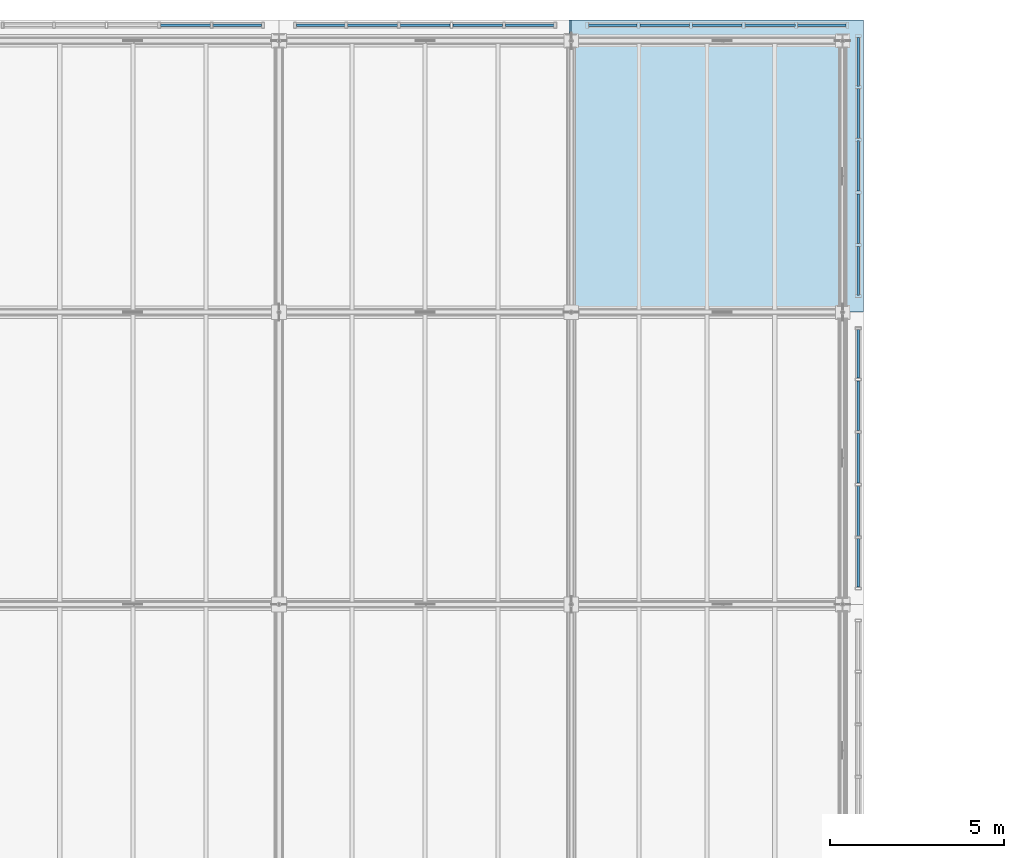
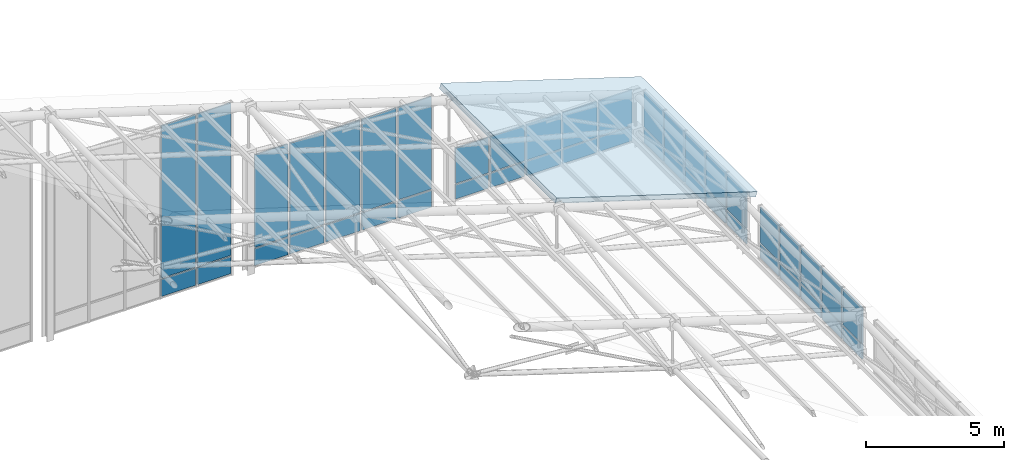
# One storey, part 112 of 144: 44 plates, 1 slab, 5 elements without a shape of their own.
"""IFC4 building model written with IfcOpenShell, lengths in metres."""

from ifc_helpers import new_model, si_unit, direction, frame, origin, origin_2d, place, context, subcontext, project, spatial, polyline, rectangle, outline, extrude, material, layer, layer_set, type_object, element, aggregate, save


model = new_model("IFC4")

# Units and contexts
model_context = context("Model", 3, precision=1e-05, world=origin(), true_north=direction((0.0, 1.0)))
body_context = subcontext(model_context, "Body", "Model", "MODEL_VIEW")
ifc_project = project(units=[si_unit("LENGTHUNIT", "METRE"), si_unit("AREAUNIT", "SQUARE_METRE"), si_unit("VOLUMEUNIT", "CUBIC_METRE"), si_unit("PLANEANGLEUNIT", "RADIAN"), si_unit("MASSUNIT", "GRAM", prefix="KILO")], contexts=[model_context])

# Site, building, storey
site_placement = place(None, origin())
site = spatial("IfcSite", under=ifc_project, at=site_placement, CompositionType="ELEMENT")
building_placement = place(site_placement, origin())
building = spatial("IfcBuilding", under=site, at=building_placement, Name="Zayran Congress Hotel", CompositionType="ELEMENT")
storey_placement = place(building_placement, frame((0.0, 0.0, 19.199951171875)))
storey = spatial("IfcBuildingStorey", under=building, at=storey_placement, Name="L04", CompositionType="ELEMENT", Elevation=19.199951171875)

# Slab
ifc_material_1 = material(Name="Concrete C32/40", Category="concrete")
ifc_layer_1 = layer(ifc_material_1, 0.219970703125)
ifc_layer_set_1 = layer_set([ifc_layer_1], Name="Concrete C32/40")
slab_type = type_object("IfcSlabType", Name="SL-RF-220", PredefinedType="ROOF", material=ifc_layer_set_1)
slab_placement = place(storey_placement, frame((84.0, 109.60009765625, 5.050048828125), z_axis=(0.300852777228, 0.0, 0.953670596398), x_axis=(0.953670596398, 0.0, -0.300852777228)))
element("IfcSlab", 1, at=slab_placement, inside=storey, type_object=slab_type, Name="V1 Vaulted Roof Facet 10-6", PredefinedType="ROOF", context=body_context, shape_type="SweptSolid", body=[
    extrude(outline(polyline([(0.0, 0.0), (8.807970357349557, 0.0), (8.807970357349557, 8.39990234375), (0.0, 8.39990234375), (0.0, 0.0)])), origin(), (0.0, 0.0, -1.0), 0.219970703125),
])

# Curtain wall, plates
ifc_material_2 = material(Name="Anodised aluminium and low-E insulated glass", Category="aluminium")
ifc_layer_2 = layer(ifc_material_2, 0.179931640625)
ifc_layer_set_2 = layer_set([ifc_layer_2], Name="Anodised aluminium and low-E insulated glass")
curtain_wall_type_1 = type_object("IfcCurtainWallType", Name="CW-V1CL-L04-CW-22-7560-7670", PredefinedType="USERDEFINED", material=ifc_layer_set_2)
curtain_wall_1_placement = place(storey_placement, origin())
curtain_wall_1 = element("IfcCurtainWall", 2, at=curtain_wall_1_placement, inside=storey, type_object=curtain_wall_type_1, Name="CW-V1CLN-7", ObjectType="CURTAIN WALL", PredefinedType="USERDEFINED")
ifc_material_3 = material(Name="Insulated warm bronze aluminium spandrel panel", Category="aluminium")
ifc_layer_3 = layer(ifc_material_3, 0.06005859375)
ifc_layer_set_3 = layer_set([ifc_layer_3], Name="Insulated warm bronze aluminium spandrel panel")
plate_type_1 = type_object("IfcPlateType", Name="CWP-SP-1392-750", PredefinedType="CURTAIN_PANEL", material=ifc_layer_set_3)
plate_1_placement = place(storey_placement, frame((74.404052734375, 117.85009765625, -0.159912109375), z_axis=(0.0, 0.0, 1.0), x_axis=(1.0, 0.0, 0.0)))
plate_1 = element("IfcPlate", 3, at=plate_1_placement, type_object=plate_type_1, Name="CW-22 Spandrel Panel 1", PredefinedType="CURTAIN_PANEL", context=body_context, shape_type="SweptSolid", body=[
    extrude(rectangle(XDim=1.39208984375, YDim=0.06005859375, at=origin_2d()), origin(), (0.0, 0.0, 1.0), 0.75),
])
plate_2_placement = place(storey_placement, frame((72.912109375, 117.85009765625, -0.159912109375), z_axis=(0.0, 0.0, 1.0), x_axis=(1.0, 0.0, 0.0)))
plate_2 = element("IfcPlate", 4, at=plate_2_placement, type_object=plate_type_1, Name="CW-22 Spandrel Panel 2", PredefinedType="CURTAIN_PANEL", context=body_context, shape_type="SweptSolid", body=[
    extrude(rectangle(XDim=1.431884765625, YDim=0.06005859375, at=origin_2d()), origin(), (0.0, 0.0, 1.0), 0.75),
])

ifc_layer_4 = layer(ifc_material_2, 0.179931640625)
ifc_layer_set_4 = layer_set([ifc_layer_4], Name="Anodised aluminium and low-E insulated glass")
curtain_wall_type_2 = type_object("IfcCurtainWallType", Name="CW-V1CL-L04-CW-23-7560-5020", PredefinedType="USERDEFINED", material=ifc_layer_set_4)
curtain_wall_2_placement = place(storey_placement, origin())
curtain_wall_2 = element("IfcCurtainWall", 5, at=curtain_wall_2_placement, inside=storey, type_object=curtain_wall_type_2, Name="CW-V1CLN-8", ObjectType="CURTAIN WALL", PredefinedType="USERDEFINED")
plate_3_placement = place(storey_placement, frame((82.803955078125, 117.85009765625, -0.159912109375), z_axis=(0.0, 0.0, 1.0), x_axis=(1.0, 0.0, 0.0)))
plate_3 = element("IfcPlate", 6, at=plate_3_placement, type_object=plate_type_1, Name="CW-23 Spandrel Panel 1", PredefinedType="CURTAIN_PANEL", context=body_context, shape_type="SweptSolid", body=[
    extrude(rectangle(XDim=1.39208984375, YDim=0.06005859375, at=origin_2d()), origin(), (0.0, 0.0, 1.0), 0.75),
])
plate_4_placement = place(storey_placement, frame((81.31201171875, 117.85009765625, -0.159912109375), z_axis=(0.0, 0.0, 1.0), x_axis=(1.0, 0.0, 0.0)))
plate_4 = element("IfcPlate", 7, at=plate_4_placement, type_object=plate_type_1, Name="CW-23 Spandrel Panel 2", PredefinedType="CURTAIN_PANEL", context=body_context, shape_type="SweptSolid", body=[
    extrude(rectangle(XDim=1.431884765625, YDim=0.06005859375, at=origin_2d()), origin(), (0.0, 0.0, 1.0), 0.75),
])
plate_5_placement = place(storey_placement, frame((79.800048828125, 117.85009765625, -0.159912109375), z_axis=(0.0, 0.0, 1.0), x_axis=(1.0, 0.0, 0.0)))
plate_5 = element("IfcPlate", 8, at=plate_5_placement, type_object=plate_type_1, Name="CW-23 Spandrel Panel 3", PredefinedType="CURTAIN_PANEL", context=body_context, shape_type="SweptSolid", body=[
    extrude(rectangle(XDim=1.431884765625, YDim=0.06005859375, at=origin_2d()), origin(), (0.0, 0.0, 1.0), 0.75),
])
plate_6_placement = place(storey_placement, frame((78.2880859375, 117.85009765625, -0.159912109375), z_axis=(0.0, 0.0, 1.0), x_axis=(1.0, 0.0, 0.0)))
plate_6 = element("IfcPlate", 9, at=plate_6_placement, type_object=plate_type_1, Name="CW-23 Spandrel Panel 4", PredefinedType="CURTAIN_PANEL", context=body_context, shape_type="SweptSolid", body=[
    extrude(rectangle(XDim=1.431884765625, YDim=0.06005859375, at=origin_2d()), origin(), (0.0, 0.0, 1.0), 0.75),
])
plate_7_placement = place(storey_placement, frame((76.7958984375, 117.85009765625, -0.159912109375), z_axis=(0.0, 0.0, 1.0), x_axis=(1.0, 0.0, 0.0)))
plate_7 = element("IfcPlate", 10, at=plate_7_placement, type_object=plate_type_1, Name="CW-23 Spandrel Panel 5", PredefinedType="CURTAIN_PANEL", context=body_context, shape_type="SweptSolid", body=[
    extrude(rectangle(XDim=1.39208984375, YDim=0.06005859375, at=origin_2d()), origin(), (0.0, 0.0, 1.0), 0.75),
])

ifc_layer_5 = layer(ifc_material_2, 0.179931640625)
ifc_layer_set_5 = layer_set([ifc_layer_5], Name="Anodised aluminium and low-E insulated glass")
curtain_wall_type_3 = type_object("IfcCurtainWallType", Name="CW-V1CL-L04-CW-41-7560-2370", PredefinedType="USERDEFINED", material=ifc_layer_set_5)
curtain_wall_3_placement = place(storey_placement, origin())
curtain_wall_3 = element("IfcCurtainWall", 11, at=curtain_wall_3_placement, inside=storey, type_object=curtain_wall_type_3, Name="CW-V1CLE-4", ObjectType="CURTAIN WALL", PredefinedType="USERDEFINED")
ifc_layer_6 = layer(ifc_material_3, 0.06005859375)
ifc_layer_set_6 = layer_set([ifc_layer_6], Name="Insulated warm bronze aluminium spandrel panel")
plate_type_2 = type_object("IfcPlateType", Name="CWP-SP-1392-630", PredefinedType="CURTAIN_PANEL", material=ifc_layer_set_6)
plate_8_placement = place(storey_placement, frame((92.25, 102.39599609375, -0.159912109375), z_axis=(0.0, 0.0, 1.0), x_axis=(0.0, 1.0, 0.0)))
plate_8 = element("IfcPlate", 12, at=plate_8_placement, type_object=plate_type_2, Name="CW-41 Spandrel Panel 1", PredefinedType="CURTAIN_PANEL", context=body_context, shape_type="SweptSolid", body=[
    extrude(rectangle(XDim=1.39208984375, YDim=0.06005859375, at=origin_2d()), origin(), (0.0, 0.0, 1.0), 0.6298828125),
])
plate_9_placement = place(storey_placement, frame((92.25, 103.887939453125, -0.159912109375), z_axis=(0.0, 0.0, 1.0), x_axis=(0.0, 1.0, 0.0)))
plate_9 = element("IfcPlate", 13, at=plate_9_placement, type_object=plate_type_2, Name="CW-41 Spandrel Panel 2", PredefinedType="CURTAIN_PANEL", context=body_context, shape_type="SweptSolid", body=[
    extrude(rectangle(XDim=1.431884765625, YDim=0.06005859375, at=origin_2d()), origin(), (0.0, 0.0, 1.0), 0.6298828125),
])
plate_10_placement = place(storey_placement, frame((92.25, 105.39990234375, -0.159912109375), z_axis=(0.0, 0.0, 1.0), x_axis=(0.0, 1.0, 0.0)))
plate_10 = element("IfcPlate", 14, at=plate_10_placement, type_object=plate_type_2, Name="CW-41 Spandrel Panel 3", PredefinedType="CURTAIN_PANEL", context=body_context, shape_type="SweptSolid", body=[
    extrude(rectangle(XDim=1.431884765625, YDim=0.06005859375, at=origin_2d()), origin(), (0.0, 0.0, 1.0), 0.6298828125),
])
plate_11_placement = place(storey_placement, frame((92.25, 106.912109375, -0.159912109375), z_axis=(0.0, 0.0, 1.0), x_axis=(0.0, 1.0, 0.0)))
plate_11 = element("IfcPlate", 15, at=plate_11_placement, type_object=plate_type_2, Name="CW-41 Spandrel Panel 4", PredefinedType="CURTAIN_PANEL", context=body_context, shape_type="SweptSolid", body=[
    extrude(rectangle(XDim=1.431884765625, YDim=0.06005859375, at=origin_2d()), origin(), (0.0, 0.0, 1.0), 0.6298828125),
])
plate_12_placement = place(storey_placement, frame((92.25, 108.404052734375, -0.159912109375), z_axis=(0.0, 0.0, 1.0), x_axis=(0.0, 1.0, 0.0)))
plate_12 = element("IfcPlate", 16, at=plate_12_placement, type_object=plate_type_2, Name="CW-41 Spandrel Panel 5", PredefinedType="CURTAIN_PANEL", context=body_context, shape_type="SweptSolid", body=[
    extrude(rectangle(XDim=1.39208984375, YDim=0.06005859375, at=origin_2d()), origin(), (0.0, 0.0, 1.0), 0.6298828125),
])

curtain_wall_4_placement = place(storey_placement, origin())
curtain_wall_4 = element("IfcCurtainWall", 17, at=curtain_wall_4_placement, inside=storey, type_object=curtain_wall_type_3, Name="CW-V1CLE-5", ObjectType="CURTAIN WALL", PredefinedType="USERDEFINED")
plate_13_placement = place(storey_placement, frame((92.25, 110.7958984375, -0.159912109375), z_axis=(0.0, 0.0, 1.0), x_axis=(0.0, 1.0, 0.0)))
plate_13 = element("IfcPlate", 18, at=plate_13_placement, type_object=plate_type_2, Name="CW-41 Spandrel Panel 1", PredefinedType="CURTAIN_PANEL", context=body_context, shape_type="SweptSolid", body=[
    extrude(rectangle(XDim=1.39208984375, YDim=0.06005859375, at=origin_2d()), origin(), (0.0, 0.0, 1.0), 0.6298828125),
])
plate_14_placement = place(storey_placement, frame((92.25, 112.2880859375, -0.159912109375), z_axis=(0.0, 0.0, 1.0), x_axis=(0.0, 1.0, 0.0)))
plate_14 = element("IfcPlate", 19, at=plate_14_placement, type_object=plate_type_2, Name="CW-41 Spandrel Panel 2", PredefinedType="CURTAIN_PANEL", context=body_context, shape_type="SweptSolid", body=[
    extrude(rectangle(XDim=1.431884765625, YDim=0.06005859375, at=origin_2d()), origin(), (0.0, 0.0, 1.0), 0.6298828125),
])
plate_15_placement = place(storey_placement, frame((92.25, 113.800048828125, -0.159912109375), z_axis=(0.0, 0.0, 1.0), x_axis=(0.0, 1.0, 0.0)))
plate_15 = element("IfcPlate", 20, at=plate_15_placement, type_object=plate_type_2, Name="CW-41 Spandrel Panel 3", PredefinedType="CURTAIN_PANEL", context=body_context, shape_type="SweptSolid", body=[
    extrude(rectangle(XDim=1.431884765625, YDim=0.06005859375, at=origin_2d()), origin(), (0.0, 0.0, 1.0), 0.6298828125),
])
plate_16_placement = place(storey_placement, frame((92.25, 115.31201171875, -0.159912109375), z_axis=(0.0, 0.0, 1.0), x_axis=(0.0, 1.0, 0.0)))
plate_16 = element("IfcPlate", 21, at=plate_16_placement, type_object=plate_type_2, Name="CW-41 Spandrel Panel 4", PredefinedType="CURTAIN_PANEL", context=body_context, shape_type="SweptSolid", body=[
    extrude(rectangle(XDim=1.431884765625, YDim=0.06005859375, at=origin_2d()), origin(), (0.0, 0.0, 1.0), 0.6298828125),
])
plate_17_placement = place(storey_placement, frame((92.25, 116.803955078125, -0.159912109375), z_axis=(0.0, 0.0, 1.0), x_axis=(0.0, 1.0, 0.0)))
plate_17 = element("IfcPlate", 22, at=plate_17_placement, type_object=plate_type_2, Name="CW-41 Spandrel Panel 5", PredefinedType="CURTAIN_PANEL", context=body_context, shape_type="SweptSolid", body=[
    extrude(rectangle(XDim=1.39208984375, YDim=0.06005859375, at=origin_2d()), origin(), (0.0, 0.0, 1.0), 0.6298828125),
])

ifc_layer_7 = layer(ifc_material_2, 0.179931640625)
ifc_layer_set_7 = layer_set([ifc_layer_7], Name="Anodised aluminium and low-E insulated glass")
curtain_wall_type_4 = type_object("IfcCurtainWallType", Name="CW-V1CL-L04-CW-21-7560-2370", PredefinedType="USERDEFINED", material=ifc_layer_set_7)
curtain_wall_5_placement = place(storey_placement, origin())
curtain_wall_5 = element("IfcCurtainWall", 23, at=curtain_wall_5_placement, inside=storey, type_object=curtain_wall_type_4, Name="CW-V1CLN-9", ObjectType="CURTAIN WALL", PredefinedType="USERDEFINED")
plate_18_placement = place(storey_placement, frame((91.2041015625, 117.85009765625, -0.159912109375), z_axis=(0.0, 0.0, 1.0), x_axis=(1.0, 0.0, 0.0)))
plate_18 = element("IfcPlate", 24, at=plate_18_placement, type_object=plate_type_2, Name="CW-21 Spandrel Panel 1", PredefinedType="CURTAIN_PANEL", context=body_context, shape_type="SweptSolid", body=[
    extrude(rectangle(XDim=1.39208984375, YDim=0.06005859375, at=origin_2d()), origin(), (0.0, 0.0, 1.0), 0.6298828125),
])
plate_19_placement = place(storey_placement, frame((89.7119140625, 117.85009765625, -0.159912109375), z_axis=(0.0, 0.0, 1.0), x_axis=(1.0, 0.0, 0.0)))
plate_19 = element("IfcPlate", 25, at=plate_19_placement, type_object=plate_type_2, Name="CW-21 Spandrel Panel 2", PredefinedType="CURTAIN_PANEL", context=body_context, shape_type="SweptSolid", body=[
    extrude(rectangle(XDim=1.431884765625, YDim=0.06005859375, at=origin_2d()), origin(), (0.0, 0.0, 1.0), 0.6298828125),
])
plate_20_placement = place(storey_placement, frame((88.199951171875, 117.85009765625, -0.159912109375), z_axis=(0.0, 0.0, 1.0), x_axis=(1.0, 0.0, 0.0)))
plate_20 = element("IfcPlate", 26, at=plate_20_placement, type_object=plate_type_2, Name="CW-21 Spandrel Panel 3", PredefinedType="CURTAIN_PANEL", context=body_context, shape_type="SweptSolid", body=[
    extrude(rectangle(XDim=1.431884765625, YDim=0.06005859375, at=origin_2d()), origin(), (0.0, 0.0, 1.0), 0.6298828125),
])
plate_21_placement = place(storey_placement, frame((86.68798828125, 117.85009765625, -0.159912109375), z_axis=(0.0, 0.0, 1.0), x_axis=(1.0, 0.0, 0.0)))
plate_21 = element("IfcPlate", 27, at=plate_21_placement, type_object=plate_type_2, Name="CW-21 Spandrel Panel 4", PredefinedType="CURTAIN_PANEL", context=body_context, shape_type="SweptSolid", body=[
    extrude(rectangle(XDim=1.431884765625, YDim=0.06005859375, at=origin_2d()), origin(), (0.0, 0.0, 1.0), 0.6298828125),
])
plate_22_placement = place(storey_placement, frame((85.196044921875, 117.85009765625, -0.159912109375), z_axis=(0.0, 0.0, 1.0), x_axis=(1.0, 0.0, 0.0)))
plate_22 = element("IfcPlate", 28, at=plate_22_placement, type_object=plate_type_2, Name="CW-21 Spandrel Panel 5", PredefinedType="CURTAIN_PANEL", context=body_context, shape_type="SweptSolid", body=[
    extrude(rectangle(XDim=1.39208984375, YDim=0.06005859375, at=origin_2d()), origin(), (0.0, 0.0, 1.0), 0.6298828125),
])

# Plate
ifc_layer_8 = layer(ifc_material_3, 0.06005859375)
ifc_layer_set_8 = layer_set([ifc_layer_8], Name="Insulated warm bronze aluminium spandrel panel")
plate_type_3 = type_object("IfcPlateType", Name="CWP-SP-1392-1560", PredefinedType="CURTAIN_PANEL", material=ifc_layer_set_8)
plate_23_placement = place(storey_placement, frame((92.25, 102.39599609375, 0.530029296875), z_axis=(0.0, 0.0, 1.0), x_axis=(0.0, 1.0, 0.0)))
plate_23 = element("IfcPlate", 29, at=plate_23_placement, type_object=plate_type_3, Name="CW-41 Upper Spandrel Panel 1", PredefinedType="CURTAIN_PANEL", context=body_context, shape_type="SweptSolid", body=[
    extrude(rectangle(XDim=1.39208984375, YDim=0.06005859375, at=origin_2d()), origin(), (0.0, 0.0, 1.0), 1.56005859375),
])

plate_24_placement = place(storey_placement, frame((92.25, 103.887939453125, 0.530029296875), z_axis=(0.0, 0.0, 1.0), x_axis=(0.0, 1.0, 0.0)))
plate_24 = element("IfcPlate", 30, at=plate_24_placement, type_object=plate_type_3, Name="CW-41 Upper Spandrel Panel 2", PredefinedType="CURTAIN_PANEL", context=body_context, shape_type="SweptSolid", body=[
    extrude(rectangle(XDim=1.431884765625, YDim=0.06005859375, at=origin_2d()), origin(), (0.0, 0.0, 1.0), 1.56005859375),
])

plate_25_placement = place(storey_placement, frame((92.25, 105.39990234375, 0.530029296875), z_axis=(0.0, 0.0, 1.0), x_axis=(0.0, 1.0, 0.0)))
plate_25 = element("IfcPlate", 31, at=plate_25_placement, type_object=plate_type_3, Name="CW-41 Upper Spandrel Panel 3", PredefinedType="CURTAIN_PANEL", context=body_context, shape_type="SweptSolid", body=[
    extrude(rectangle(XDim=1.431884765625, YDim=0.06005859375, at=origin_2d()), origin(), (0.0, 0.0, 1.0), 1.56005859375),
])

plate_26_placement = place(storey_placement, frame((92.25, 106.912109375, 0.530029296875), z_axis=(0.0, 0.0, 1.0), x_axis=(0.0, 1.0, 0.0)))
plate_26 = element("IfcPlate", 32, at=plate_26_placement, type_object=plate_type_3, Name="CW-41 Upper Spandrel Panel 4", PredefinedType="CURTAIN_PANEL", context=body_context, shape_type="SweptSolid", body=[
    extrude(rectangle(XDim=1.431884765625, YDim=0.06005859375, at=origin_2d()), origin(), (0.0, 0.0, 1.0), 1.56005859375),
])

plate_27_placement = place(storey_placement, frame((92.25, 108.404052734375, 0.530029296875), z_axis=(0.0, 0.0, 1.0), x_axis=(0.0, 1.0, 0.0)))
plate_27 = element("IfcPlate", 33, at=plate_27_placement, type_object=plate_type_3, Name="CW-41 Upper Spandrel Panel 5", PredefinedType="CURTAIN_PANEL", context=body_context, shape_type="SweptSolid", body=[
    extrude(rectangle(XDim=1.39208984375, YDim=0.06005859375, at=origin_2d()), origin(), (0.0, 0.0, 1.0), 1.56005859375),
])

aggregate(curtain_wall_3, [plate_8, plate_23, plate_9, plate_24, plate_10, plate_25, plate_11, plate_26, plate_12, plate_27])

plate_28_placement = place(storey_placement, frame((92.25, 110.7958984375, 0.530029296875), z_axis=(0.0, 0.0, 1.0), x_axis=(0.0, 1.0, 0.0)))
plate_28 = element("IfcPlate", 34, at=plate_28_placement, type_object=plate_type_3, Name="CW-41 Upper Spandrel Panel 1", PredefinedType="CURTAIN_PANEL", context=body_context, shape_type="SweptSolid", body=[
    extrude(rectangle(XDim=1.39208984375, YDim=0.06005859375, at=origin_2d()), origin(), (0.0, 0.0, 1.0), 1.56005859375),
])

plate_29_placement = place(storey_placement, frame((92.25, 112.2880859375, 0.530029296875), z_axis=(0.0, 0.0, 1.0), x_axis=(0.0, 1.0, 0.0)))
plate_29 = element("IfcPlate", 35, at=plate_29_placement, type_object=plate_type_3, Name="CW-41 Upper Spandrel Panel 2", PredefinedType="CURTAIN_PANEL", context=body_context, shape_type="SweptSolid", body=[
    extrude(rectangle(XDim=1.431884765625, YDim=0.06005859375, at=origin_2d()), origin(), (0.0, 0.0, 1.0), 1.56005859375),
])

plate_30_placement = place(storey_placement, frame((92.25, 113.800048828125, 0.530029296875), z_axis=(0.0, 0.0, 1.0), x_axis=(0.0, 1.0, 0.0)))
plate_30 = element("IfcPlate", 36, at=plate_30_placement, type_object=plate_type_3, Name="CW-41 Upper Spandrel Panel 3", PredefinedType="CURTAIN_PANEL", context=body_context, shape_type="SweptSolid", body=[
    extrude(rectangle(XDim=1.431884765625, YDim=0.06005859375, at=origin_2d()), origin(), (0.0, 0.0, 1.0), 1.56005859375),
])

plate_31_placement = place(storey_placement, frame((92.25, 115.31201171875, 0.530029296875), z_axis=(0.0, 0.0, 1.0), x_axis=(0.0, 1.0, 0.0)))
plate_31 = element("IfcPlate", 37, at=plate_31_placement, type_object=plate_type_3, Name="CW-41 Upper Spandrel Panel 4", PredefinedType="CURTAIN_PANEL", context=body_context, shape_type="SweptSolid", body=[
    extrude(rectangle(XDim=1.431884765625, YDim=0.06005859375, at=origin_2d()), origin(), (0.0, 0.0, 1.0), 1.56005859375),
])

plate_32_placement = place(storey_placement, frame((92.25, 116.803955078125, 0.530029296875), z_axis=(0.0, 0.0, 1.0), x_axis=(0.0, 1.0, 0.0)))
plate_32 = element("IfcPlate", 38, at=plate_32_placement, type_object=plate_type_3, Name="CW-41 Upper Spandrel Panel 5", PredefinedType="CURTAIN_PANEL", context=body_context, shape_type="SweptSolid", body=[
    extrude(rectangle(XDim=1.39208984375, YDim=0.06005859375, at=origin_2d()), origin(), (0.0, 0.0, 1.0), 1.56005859375),
])

aggregate(curtain_wall_4, [plate_13, plate_28, plate_14, plate_29, plate_15, plate_30, plate_16, plate_31, plate_17, plate_32])

plate_33_placement = place(storey_placement, frame((91.2041015625, 117.85009765625, 0.530029296875), z_axis=(0.0, 0.0, 1.0), x_axis=(1.0, 0.0, 0.0)))
plate_33 = element("IfcPlate", 39, at=plate_33_placement, type_object=plate_type_3, Name="CW-21 Upper Spandrel Panel 1", PredefinedType="CURTAIN_PANEL", context=body_context, shape_type="SweptSolid", body=[
    extrude(rectangle(XDim=1.39208984375, YDim=0.06005859375, at=origin_2d()), origin(), (0.0, 0.0, 1.0), 1.56005859375),
])

plate_34_placement = place(storey_placement, frame((89.7119140625, 117.85009765625, 0.530029296875), z_axis=(0.0, 0.0, 1.0), x_axis=(1.0, 0.0, 0.0)))
plate_34 = element("IfcPlate", 40, at=plate_34_placement, type_object=plate_type_3, Name="CW-21 Upper Spandrel Panel 2", PredefinedType="CURTAIN_PANEL", context=body_context, shape_type="SweptSolid", body=[
    extrude(rectangle(XDim=1.431884765625, YDim=0.06005859375, at=origin_2d()), origin(), (0.0, 0.0, 1.0), 1.56005859375),
])

plate_35_placement = place(storey_placement, frame((88.199951171875, 117.85009765625, 0.530029296875), z_axis=(0.0, 0.0, 1.0), x_axis=(1.0, 0.0, 0.0)))
plate_35 = element("IfcPlate", 41, at=plate_35_placement, type_object=plate_type_3, Name="CW-21 Upper Spandrel Panel 3", PredefinedType="CURTAIN_PANEL", context=body_context, shape_type="SweptSolid", body=[
    extrude(rectangle(XDim=1.431884765625, YDim=0.06005859375, at=origin_2d()), origin(), (0.0, 0.0, 1.0), 1.56005859375),
])

plate_36_placement = place(storey_placement, frame((86.68798828125, 117.85009765625, 0.530029296875), z_axis=(0.0, 0.0, 1.0), x_axis=(1.0, 0.0, 0.0)))
plate_36 = element("IfcPlate", 42, at=plate_36_placement, type_object=plate_type_3, Name="CW-21 Upper Spandrel Panel 4", PredefinedType="CURTAIN_PANEL", context=body_context, shape_type="SweptSolid", body=[
    extrude(rectangle(XDim=1.431884765625, YDim=0.06005859375, at=origin_2d()), origin(), (0.0, 0.0, 1.0), 1.56005859375),
])

plate_37_placement = place(storey_placement, frame((85.196044921875, 117.85009765625, 0.530029296875), z_axis=(0.0, 0.0, 1.0), x_axis=(1.0, 0.0, 0.0)))
plate_37 = element("IfcPlate", 43, at=plate_37_placement, type_object=plate_type_3, Name="CW-21 Upper Spandrel Panel 5", PredefinedType="CURTAIN_PANEL", context=body_context, shape_type="SweptSolid", body=[
    extrude(rectangle(XDim=1.39208984375, YDim=0.06005859375, at=origin_2d()), origin(), (0.0, 0.0, 1.0), 1.56005859375),
])

aggregate(curtain_wall_5, [plate_18, plate_33, plate_19, plate_34, plate_20, plate_35, plate_21, plate_36, plate_22, plate_37])

ifc_layer_9 = layer(ifc_material_3, 0.06005859375)
ifc_layer_set_9 = layer_set([ifc_layer_9], Name="Insulated warm bronze aluminium spandrel panel")
plate_type_4 = type_object("IfcPlateType", Name="CWP-SP-1392-4090", PredefinedType="CURTAIN_PANEL", material=ifc_layer_set_9)
plate_38_placement = place(storey_placement, frame((82.803955078125, 117.85009765625, 0.64990234375), z_axis=(0.0, 0.0, 1.0), x_axis=(1.0, 0.0, 0.0)))
plate_38 = element("IfcPlate", 44, at=plate_38_placement, type_object=plate_type_4, Name="CW-23 Upper Spandrel Panel 1", PredefinedType="CURTAIN_PANEL", context=body_context, shape_type="SweptSolid", body=[
    extrude(rectangle(XDim=1.39208984375, YDim=0.06005859375, at=origin_2d()), origin(), (0.0, 0.0, 1.0), 4.090087890625),
])

plate_39_placement = place(storey_placement, frame((81.31201171875, 117.85009765625, 0.64990234375), z_axis=(0.0, 0.0, 1.0), x_axis=(1.0, 0.0, 0.0)))
plate_39 = element("IfcPlate", 45, at=plate_39_placement, type_object=plate_type_4, Name="CW-23 Upper Spandrel Panel 2", PredefinedType="CURTAIN_PANEL", context=body_context, shape_type="SweptSolid", body=[
    extrude(rectangle(XDim=1.431884765625, YDim=0.06005859375, at=origin_2d()), origin(), (0.0, 0.0, 1.0), 4.090087890625),
])

plate_40_placement = place(storey_placement, frame((79.800048828125, 117.85009765625, 0.64990234375), z_axis=(0.0, 0.0, 1.0), x_axis=(1.0, 0.0, 0.0)))
plate_40 = element("IfcPlate", 46, at=plate_40_placement, type_object=plate_type_4, Name="CW-23 Upper Spandrel Panel 3", PredefinedType="CURTAIN_PANEL", context=body_context, shape_type="SweptSolid", body=[
    extrude(rectangle(XDim=1.431884765625, YDim=0.06005859375, at=origin_2d()), origin(), (0.0, 0.0, 1.0), 4.090087890625),
])

plate_41_placement = place(storey_placement, frame((78.2880859375, 117.85009765625, 0.64990234375), z_axis=(0.0, 0.0, 1.0), x_axis=(1.0, 0.0, 0.0)))
plate_41 = element("IfcPlate", 47, at=plate_41_placement, type_object=plate_type_4, Name="CW-23 Upper Spandrel Panel 4", PredefinedType="CURTAIN_PANEL", context=body_context, shape_type="SweptSolid", body=[
    extrude(rectangle(XDim=1.431884765625, YDim=0.06005859375, at=origin_2d()), origin(), (0.0, 0.0, 1.0), 4.090087890625),
])

plate_42_placement = place(storey_placement, frame((76.7958984375, 117.85009765625, 0.64990234375), z_axis=(0.0, 0.0, 1.0), x_axis=(1.0, 0.0, 0.0)))
plate_42 = element("IfcPlate", 48, at=plate_42_placement, type_object=plate_type_4, Name="CW-23 Upper Spandrel Panel 5", PredefinedType="CURTAIN_PANEL", context=body_context, shape_type="SweptSolid", body=[
    extrude(rectangle(XDim=1.39208984375, YDim=0.06005859375, at=origin_2d()), origin(), (0.0, 0.0, 1.0), 4.090087890625),
])

aggregate(curtain_wall_2, [plate_3, plate_38, plate_4, plate_39, plate_5, plate_40, plate_6, plate_41, plate_7, plate_42])

ifc_layer_10 = layer(ifc_material_3, 0.06005859375)
ifc_layer_set_10 = layer_set([ifc_layer_10], Name="Insulated warm bronze aluminium spandrel panel")
plate_type_5 = type_object("IfcPlateType", Name="CWP-SP-1392-6740", PredefinedType="CURTAIN_PANEL", material=ifc_layer_set_10)
plate_43_placement = place(storey_placement, frame((74.404052734375, 117.85009765625, 0.64990234375), z_axis=(0.0, 0.0, 1.0), x_axis=(1.0, 0.0, 0.0)))
plate_43 = element("IfcPlate", 49, at=plate_43_placement, type_object=plate_type_5, Name="CW-22 Upper Spandrel Panel 1", PredefinedType="CURTAIN_PANEL", context=body_context, shape_type="SweptSolid", body=[
    extrude(rectangle(XDim=1.39208984375, YDim=0.06005859375, at=origin_2d()), origin(), (0.0, 0.0, 1.0), 6.739990234375),
])

plate_44_placement = place(storey_placement, frame((72.912109375, 117.85009765625, 0.64990234375), z_axis=(0.0, 0.0, 1.0), x_axis=(1.0, 0.0, 0.0)))
plate_44 = element("IfcPlate", 50, at=plate_44_placement, type_object=plate_type_5, Name="CW-22 Upper Spandrel Panel 2", PredefinedType="CURTAIN_PANEL", context=body_context, shape_type="SweptSolid", body=[
    extrude(rectangle(XDim=1.431884765625, YDim=0.06005859375, at=origin_2d()), origin(), (0.0, 0.0, 1.0), 6.739990234375),
])

aggregate(curtain_wall_1, [plate_1, plate_43, plate_2, plate_44])

save(model, "model.ifc")
